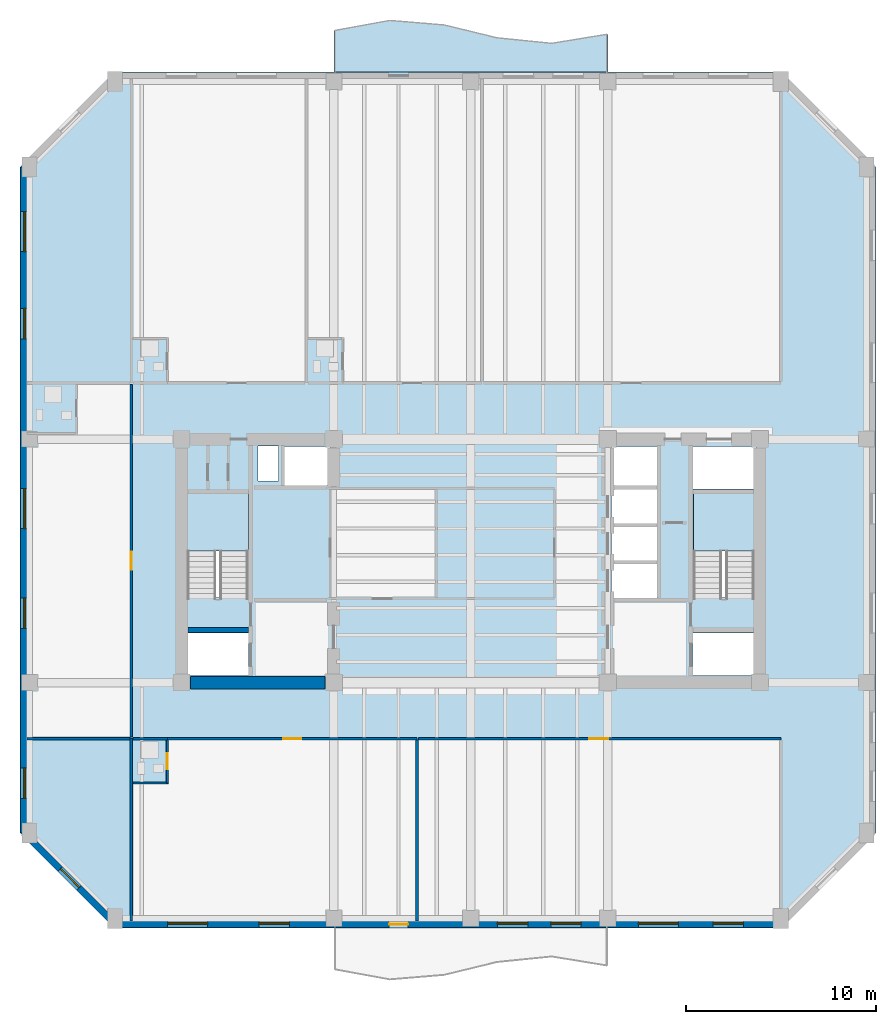
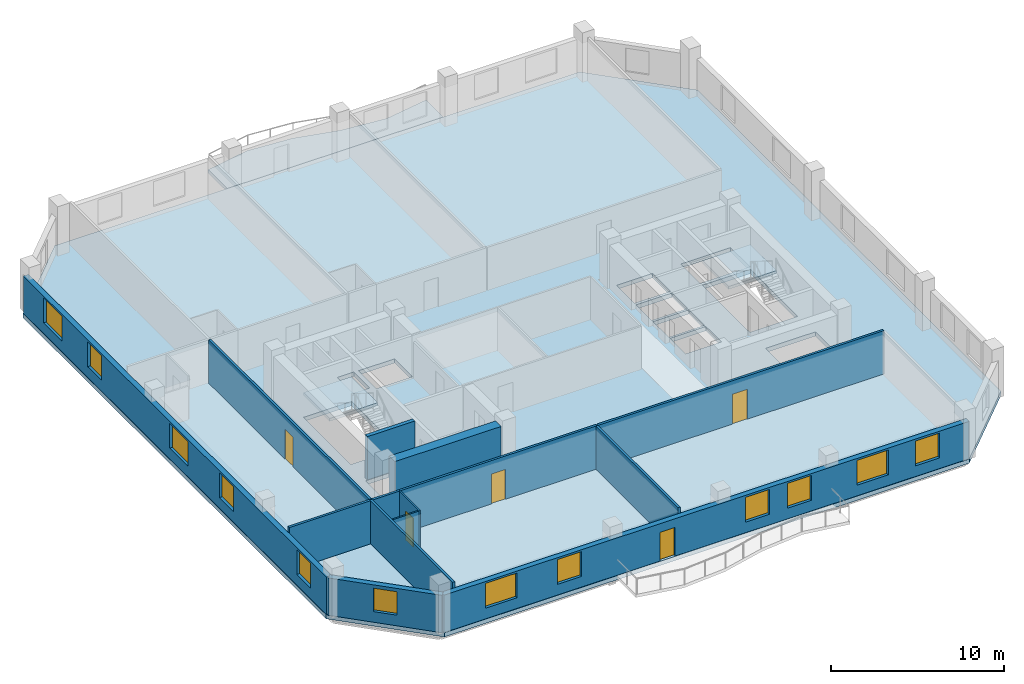
# One storey, part 2 of 9: 14 walls, 12 windows, 5 doors, 4 slabs, 17 openings, 2 elements without a shape of their own.
"""IFC4 building model written with IfcOpenShell, lengths in metres."""

from ifc_helpers import new_model, si_unit, direction, frame, frame_2d, origin, place, context, subcontext, project, spatial, polyline, rectangle, outline, extrude, material, layer, layer_set, type_object, element, fill, aggregate, save


model = new_model("IFC4")

# Units and contexts
model_context = context("Model", 3, precision=1e-05, world=origin(), true_north=direction((0.0, 1.0)))
body_context = subcontext(model_context, "Body", "Model", "MODEL_VIEW")
ifc_project = project(units=[si_unit("LENGTHUNIT", "METRE"), si_unit("AREAUNIT", "SQUARE_METRE"), si_unit("VOLUMEUNIT", "CUBIC_METRE"), si_unit("PLANEANGLEUNIT", "RADIAN"), si_unit("MASSUNIT", "GRAM", prefix="KILO")], contexts=[model_context])

# Site, building, storey
site_placement = place(None, origin())
site = spatial("IfcSite", under=ifc_project, at=site_placement, CompositionType="ELEMENT")
building_placement = place(site_placement, origin())
building = spatial("IfcBuilding", under=site, at=building_placement, Name="Kranthara Brick Stack", CompositionType="ELEMENT")
storey_placement = place(building_placement, frame((0.0, 0.0, 193.800048828125)))
storey = spatial("IfcBuildingStorey", under=building, at=storey_placement, Name="L50", CompositionType="ELEMENT", Elevation=193.800048828125)

# Slab
ifc_material_1 = material(Name="Concrete C45/55", Category="concrete")
ifc_layer_1 = layer(ifc_material_1, 0.219970703125)
ifc_layer_set_1 = layer_set([ifc_layer_1], Name="Concrete C45/55")
slab_type_1 = type_object("IfcSlabType", Name="SLB-BALC-220", PredefinedType="FLOOR", material=ifc_layer_set_1)
slab_1_placement = place(storey_placement, frame((0.0, 0.0, -0.219970703125)))
element("IfcSlab", 1, at=slab_1_placement, inside=storey, type_object=slab_type_1, Name="L50 North Rippling Balcony Slab", PredefinedType="FLOOR", context=body_context, shape_type="SweptSolid", body=[
    extrude(outline(polyline([(35.199951171875, 52.89990234375), (20.800048828125, 52.89990234375), (20.800048828125, 55.09033203125), (23.679931640625, 55.62646484375), (26.56005859375, 55.40625), (29.43994140625, 54.70654296875), (32.320068359375, 54.407470703125), (35.199951171875, 54.885009765625), (35.199951171875, 52.89990234375)])), origin(), (0.0, 0.0, 1.0), 0.219970703125),
])

# Stair, slab
ifc_material_2 = material(Name="Concrete C45/55", Category="concrete")
stair_type = type_object("IfcStairType", Name="ST-CORE-20R", PredefinedType="HALF_TURN_STAIR", material=ifc_material_2)
stair_1_placement = place(storey_placement, origin())
stair_1 = element("IfcStair", 2, at=stair_1_placement, inside=storey, type_object=stair_type, Name="L50 West Core Protected Exit Stair ST01", PredefinedType="HALF_TURN_STAIR")
ifc_material_3 = material(Name="Concrete C45/55", Category="concrete")
ifc_layer_2 = layer(ifc_material_3, 0.199951171875)
ifc_layer_set_2 = layer_set([ifc_layer_2], Name="Concrete C45/55")
slab_type_2 = type_object("IfcSlabType", Name="SLB-LANDING-200", PredefinedType="LANDING", material=ifc_layer_set_2)
slab_2_placement = place(storey_placement, frame((0.0, 0.0, 1.550048828125)))
slab_2 = element("IfcSlab", 3, at=slab_2_placement, type_object=slab_type_2, Name="ST01 landing 1", PredefinedType="LANDING", context=body_context, shape_type="SweptSolid", body=[
    extrude(outline(polyline([(16.300048828125, 27.719970703125), (16.300048828125, 30.75), (13.10009765625, 30.75), (13.10009765625, 27.719970703125), (16.300048828125, 27.719970703125)])), origin(), (0.0, 0.0, 1.0), 0.199951171875),
])
aggregate(stair_1, [slab_2])

stair_2_placement = place(storey_placement, origin())
stair_2 = element("IfcStair", 4, at=stair_2_placement, inside=storey, type_object=stair_type, Name="L50 East Core Protected Exit Stair ST02", PredefinedType="HALF_TURN_STAIR")
slab_3_placement = place(storey_placement, frame((0.0, 0.0, 1.550048828125)))
slab_3 = element("IfcSlab", 5, at=slab_3_placement, type_object=slab_type_2, Name="ST02 landing 1", PredefinedType="LANDING", context=body_context, shape_type="SweptSolid", body=[
    extrude(outline(polyline([(42.89990234375, 27.719970703125), (42.89990234375, 30.75), (39.699951171875, 30.75), (39.699951171875, 27.719970703125), (42.89990234375, 27.719970703125)])), origin(), (0.0, 0.0, 1.0), 0.199951171875),
])
aggregate(stair_2, [slab_3])

# Slab
ifc_material_4 = material(Name="Post-tensioned concrete C45/55", Category="concrete")
ifc_layer_3 = layer(ifc_material_4, 0.300048828125)
ifc_layer_set_3 = layer_set([ifc_layer_3], Name="Post-tensioned concrete C45/55")
slab_type_3 = type_object("IfcSlabType", Name="SLB-TWR-300", PredefinedType="FLOOR", material=ifc_layer_set_3)
slab_4_placement = place(storey_placement, frame((0.0, 0.0, -0.300048828125)))
element("IfcSlab", 6, at=slab_4_placement, inside=storey, type_object=slab_type_3, Name="L50 Structural Floor Plate", PredefinedType="FLOOR", context=body_context, shape_type="SweptSolid", body=[
    extrude(outline(polyline([(9.300048828125, 7.89990234375), (44.300048828125, 7.89990234375), (49.300048828125, 12.89990234375), (49.300048828125, 47.89990234375), (44.300048828125, 52.89990234375), (9.300048828125, 52.89990234375), (4.300048828125, 47.89990234375), (4.300048828125, 12.89990234375), (9.300048828125, 7.89990234375)]), holes=[polyline([(13.10009765625, 25.280029296875), (16.300048828125, 25.280029296875), (16.300048828125, 30.75), (13.10009765625, 30.75), (13.10009765625, 25.280029296875)]), polyline([(39.699951171875, 25.280029296875), (42.89990234375, 25.280029296875), (42.89990234375, 30.75), (39.699951171875, 30.75), (39.699951171875, 25.280029296875)]), polyline([(13.0, 21.179931640625), (16.320068359375, 21.179931640625), (16.320068359375, 23.419921875), (13.0, 23.419921875), (13.0, 21.179931640625)]), polyline([(39.679931640625, 21.179931640625), (43.0, 21.179931640625), (43.0, 23.419921875), (39.679931640625, 23.419921875), (39.679931640625, 21.179931640625)]), polyline([(39.679931640625, 30.97998046875), (43.0, 30.97998046875), (43.0, 33.219970703125), (39.679931640625, 33.219970703125), (39.679931640625, 30.97998046875)]), polyline([(35.39990234375, 25.25), (37.800048828125, 25.25), (37.800048828125, 27.050048828125), (35.39990234375, 27.050048828125), (35.39990234375, 25.25)]), polyline([(35.39990234375, 27.199951171875), (37.800048828125, 27.199951171875), (37.800048828125, 29.0), (35.39990234375, 29.0), (35.39990234375, 27.199951171875)]), polyline([(35.39990234375, 29.14990234375), (37.800048828125, 29.14990234375), (37.800048828125, 30.949951171875), (35.39990234375, 30.949951171875), (35.39990234375, 29.14990234375)]), polyline([(18.199951171875, 31.14990234375), (20.60009765625, 31.14990234375), (20.60009765625, 33.219970703125), (18.199951171875, 33.219970703125), (18.199951171875, 31.14990234375)]), polyline([(35.39990234375, 31.14990234375), (37.800048828125, 31.14990234375), (37.800048828125, 33.219970703125), (35.39990234375, 33.219970703125), (35.39990234375, 31.14990234375)]), polyline([(16.800048828125, 31.39990234375), (17.89990234375, 31.39990234375), (17.89990234375, 33.25), (16.800048828125, 33.25), (16.800048828125, 31.39990234375)])]), origin(), (0.0, 0.0, 1.0), 0.300048828125),
])

# Wall, openings, door, windows
ifc_material_5 = material(Name="Kiln-fired clay brick masonry M15", Category="masonry")
ifc_layer_4 = layer(ifc_material_5, 0.35009765625)
ifc_layer_set_4 = layer_set([ifc_layer_4], Name="Kiln-fired clay brick masonry M15")
wall_type_1 = type_object("IfcWallType", Name="WL-BRK-SPND-350", PredefinedType="STANDARD", material=ifc_layer_set_4)
wall_1_placement = place(storey_placement, frame((44.300048828125, 8.094970703125, 0.0), z_axis=(0.0, 0.0, 1.0), x_axis=(-1.0, 0.0, 0.0)))
wall_1 = element("IfcWall", 7, at=wall_1_placement, inside=storey, type_object=wall_type_1, Name="L50 Exterior Brick Facade Wall SOUTH 1", PredefinedType="STANDARD", context=body_context, shape_type="SweptSolid", body=[
    extrude(rectangle(XDim=35.0, YDim=0.35009765625, at=frame_2d((17.5, 0.0))), origin(), (0.0, 0.0, 1.0), 2.635009765625),
])
opening_1_placement = place(wall_1_placement, frame((19.60009765625, 0.0, 0.0)))
opening_1 = element("IfcOpeningElement", 8, at=opening_1_placement, cuts=wall_1, Name="Opening D03", PredefinedType="OPENING", context=body_context, shape_type="SweptSolid", body=[
    extrude(rectangle(XDim=1.0, YDim=2.02001953125, at=frame_2d((0.5, 1.010009765625))), frame((0.0, 0.18505859375, 0.0), z_axis=(0.0, -1.0, 0.0), x_axis=(1.0, 0.0, 0.0)), (0.0, 0.0, 1.0), 0.3701171875),
])
opening_2_placement = place(wall_1_placement, frame((1.964111328125, 0.0, 0.75)))
opening_2 = element("IfcOpeningElement", 9, at=opening_2_placement, cuts=wall_1, Name="Opening WN04", PredefinedType="OPENING", context=body_context, shape_type="SweptSolid", body=[
    extrude(rectangle(XDim=1.60009765625, YDim=1.75, at=frame_2d((0.800048828125, 0.875))), frame((0.0, 0.18505859375, 0.0), z_axis=(0.0, -1.0, 0.0), x_axis=(1.0, 0.0, 0.0)), (0.0, 0.0, 1.0), 0.3701171875),
])
opening_3_placement = place(wall_1_placement, frame((5.385986328125, 0.0, 0.75)))
opening_3 = element("IfcOpeningElement", 10, at=opening_3_placement, cuts=wall_1, Name="Opening WN05", PredefinedType="OPENING", context=body_context, shape_type="SweptSolid", body=[
    extrude(rectangle(XDim=2.10009765625, YDim=1.75, at=frame_2d((1.050048828125, 0.875))), frame((0.0, 0.18505859375, 0.0), z_axis=(0.0, -1.0, 0.0), x_axis=(1.0, 0.0, 0.0)), (0.0, 0.0, 1.0), 0.3701171875),
])
opening_4_placement = place(wall_1_placement, frame((10.49609375, 0.0, 0.75)))
opening_4 = element("IfcOpeningElement", 11, at=opening_4_placement, cuts=wall_1, Name="Opening WN04", PredefinedType="OPENING", context=body_context, shape_type="SweptSolid", body=[
    extrude(rectangle(XDim=1.60009765625, YDim=1.75, at=frame_2d((0.800048828125, 0.875))), frame((0.0, 0.18505859375, 0.0), z_axis=(0.0, -1.0, 0.0), x_axis=(1.0, 0.0, 0.0)), (0.0, 0.0, 1.0), 0.3701171875),
])
opening_5_placement = place(wall_1_placement, frame((13.303955078125, 0.0, 0.75)))
opening_5 = element("IfcOpeningElement", 12, at=opening_5_placement, cuts=wall_1, Name="Opening WN04", PredefinedType="OPENING", context=body_context, shape_type="SweptSolid", body=[
    extrude(rectangle(XDim=1.60009765625, YDim=1.75, at=frame_2d((0.800048828125, 0.875))), frame((0.0, 0.18505859375, 0.0), z_axis=(0.0, -1.0, 0.0), x_axis=(1.0, 0.0, 0.0)), (0.0, 0.0, 1.0), 0.3701171875),
])
opening_6_placement = place(wall_1_placement, frame((25.837890625, 0.0, 0.75)))
opening_6 = element("IfcOpeningElement", 13, at=opening_6_placement, cuts=wall_1, Name="Opening WN04", PredefinedType="OPENING", context=body_context, shape_type="SweptSolid", body=[
    extrude(rectangle(XDim=1.60009765625, YDim=1.75, at=frame_2d((0.800048828125, 0.875))), frame((0.0, 0.18505859375, 0.0), z_axis=(0.0, -1.0, 0.0), x_axis=(1.0, 0.0, 0.0)), (0.0, 0.0, 1.0), 0.3701171875),
])
opening_7_placement = place(wall_1_placement, frame((30.135986328125, 0.0, 0.75)))
opening_7 = element("IfcOpeningElement", 14, at=opening_7_placement, cuts=wall_1, Name="Opening WN05", PredefinedType="OPENING", context=body_context, shape_type="SweptSolid", body=[
    extrude(rectangle(XDim=2.10009765625, YDim=1.75, at=frame_2d((1.050048828125, 0.875))), frame((0.0, 0.18505859375, 0.0), z_axis=(0.0, -1.0, 0.0), x_axis=(1.0, 0.0, 0.0)), (0.0, 0.0, 1.0), 0.3701171875),
])
ifc_material_6 = material(Name="Bronze anodised aluminium and laminated glass", Category="aluminium")
door_type_1 = type_object("IfcDoorType", Name="DR-BALC-1000", OperationType="NOTDEFINED", PredefinedType="DOOR", material=ifc_material_6)
door_1_placement = place(opening_1_placement, origin())
door_1 = element("IfcDoor", 15, at=door_1_placement, inside=storey, type_object=door_type_1, Name="L50 South Balcony Terrace Door", OperationType="SINGLE_SWING_LEFT", OverallHeight=2.02001953125, OverallWidth=1.0, PredefinedType="DOOR", context=body_context, shape_type="SweptSolid", body=[
    extrude(rectangle(XDim=1.0, YDim=2.02001953125, at=frame_2d((0.5, 1.010009765625))), frame((0.0, 0.02490234375, 0.0), z_axis=(0.0, -1.0, 0.0), x_axis=(1.0, 0.0, 0.0)), (0.0, 0.0, 1.0), 0.050048828125),
])
fill(opening_1, door_1)
ifc_material_7 = material(Name="Double-glazed low-E solar control glass", Category="glass")
window_type_1 = type_object("IfcWindowType", Name="WN-HTL-1600x1850", PartitioningType="DOUBLE_PANEL_VERTICAL", PredefinedType="WINDOW", material=ifc_material_7)
window_1_placement = place(opening_2_placement, origin())
window_1 = element("IfcWindow", 16, at=window_1_placement, inside=storey, type_object=window_type_1, Name="L50 South Deep-Set Brick Window 01", OverallHeight=1.75, OverallWidth=1.60009765625, PartitioningType="SINGLE_PANEL", PredefinedType="WINDOW", context=body_context, shape_type="SweptSolid", body=[
    extrude(rectangle(XDim=1.60009765625, YDim=1.75, at=frame_2d((0.800048828125, 0.875))), frame((0.0, -0.010009765625, 0.0), z_axis=(0.0, -1.0, 0.0), x_axis=(1.0, 0.0, 0.0)), (0.0, 0.0, 1.0), 0.06005859375),
])
fill(opening_2, window_1)
window_2_placement = place(opening_4_placement, origin())
window_2 = element("IfcWindow", 17, at=window_2_placement, inside=storey, type_object=window_type_1, Name="L50 South Deep-Set Brick Window 03", OverallHeight=1.75, OverallWidth=1.60009765625, PartitioningType="SINGLE_PANEL", PredefinedType="WINDOW", context=body_context, shape_type="SweptSolid", body=[
    extrude(rectangle(XDim=1.60009765625, YDim=1.75, at=frame_2d((0.800048828125, 0.875))), frame((0.0, -0.010009765625, 0.0), z_axis=(0.0, -1.0, 0.0), x_axis=(1.0, 0.0, 0.0)), (0.0, 0.0, 1.0), 0.06005859375),
])
fill(opening_4, window_2)
window_3_placement = place(opening_5_placement, origin())
window_3 = element("IfcWindow", 18, at=window_3_placement, inside=storey, type_object=window_type_1, Name="L50 South Deep-Set Brick Window 04", OverallHeight=1.75, OverallWidth=1.60009765625, PartitioningType="SINGLE_PANEL", PredefinedType="WINDOW", context=body_context, shape_type="SweptSolid", body=[
    extrude(rectangle(XDim=1.60009765625, YDim=1.75, at=frame_2d((0.800048828125, 0.875))), frame((0.0, -0.010009765625, 0.0), z_axis=(0.0, -1.0, 0.0), x_axis=(1.0, 0.0, 0.0)), (0.0, 0.0, 1.0), 0.06005859375),
])
fill(opening_5, window_3)
window_4_placement = place(opening_6_placement, origin())
window_4 = element("IfcWindow", 19, at=window_4_placement, inside=storey, type_object=window_type_1, Name="L50 South Deep-Set Brick Window 05", OverallHeight=1.75, OverallWidth=1.60009765625, PartitioningType="SINGLE_PANEL", PredefinedType="WINDOW", context=body_context, shape_type="SweptSolid", body=[
    extrude(rectangle(XDim=1.60009765625, YDim=1.75, at=frame_2d((0.800048828125, 0.875))), frame((0.0, -0.010009765625, 0.0), z_axis=(0.0, -1.0, 0.0), x_axis=(1.0, 0.0, 0.0)), (0.0, 0.0, 1.0), 0.06005859375),
])
fill(opening_6, window_4)
ifc_material_8 = material(Name="Double-glazed low-E solar control glass", Category="glass")
window_type_2 = type_object("IfcWindowType", Name="WN-HTL-2100x1850", PartitioningType="DOUBLE_PANEL_VERTICAL", PredefinedType="WINDOW", material=ifc_material_8)
window_5_placement = place(opening_3_placement, origin())
window_5 = element("IfcWindow", 20, at=window_5_placement, inside=storey, type_object=window_type_2, Name="L50 South Deep-Set Brick Window 02", OverallHeight=1.75, OverallWidth=2.10009765625, PartitioningType="SINGLE_PANEL", PredefinedType="WINDOW", context=body_context, shape_type="SweptSolid", body=[
    extrude(rectangle(XDim=2.10009765625, YDim=1.75, at=frame_2d((1.050048828125, 0.875))), frame((0.0, -0.010009765625, 0.0), z_axis=(0.0, -1.0, 0.0), x_axis=(1.0, 0.0, 0.0)), (0.0, 0.0, 1.0), 0.06005859375),
])
fill(opening_3, window_5)
window_6_placement = place(opening_7_placement, origin())
window_6 = element("IfcWindow", 21, at=window_6_placement, inside=storey, type_object=window_type_2, Name="L50 South Deep-Set Brick Window 06", OverallHeight=1.75, OverallWidth=2.10009765625, PartitioningType="SINGLE_PANEL", PredefinedType="WINDOW", context=body_context, shape_type="SweptSolid", body=[
    extrude(rectangle(XDim=2.10009765625, YDim=1.75, at=frame_2d((1.050048828125, 0.875))), frame((0.0, -0.010009765625, 0.0), z_axis=(0.0, -1.0, 0.0), x_axis=(1.0, 0.0, 0.0)), (0.0, 0.0, 1.0), 0.06005859375),
])
fill(opening_7, window_6)

# Wall, opening, window
wall_2_placement = place(storey_placement, frame((9.300048828125, 8.094970703125, 0.0), z_axis=(0.0, 0.0, 1.0), x_axis=(-0.707106781187, 0.707106781187, 0.0)))
wall_2 = element("IfcWall", 22, at=wall_2_placement, inside=storey, type_object=wall_type_1, Name="L50 Exterior Brick Facade Wall SW 1", PredefinedType="STANDARD", context=body_context, shape_type="SweptSolid", body=[
    extrude(rectangle(XDim=6.795166015625, YDim=0.35009765625, at=frame_2d((3.3974609375, 0.0))), origin(), (0.0, 0.0, 1.0), 2.635009765625),
])
opening_8_placement = place(wall_2_placement, frame((2.697998046875, 0.0, 0.75)))
opening_8 = element("IfcOpeningElement", 23, at=opening_8_placement, cuts=wall_2, Name="Opening WN10", PredefinedType="OPENING", context=body_context, shape_type="SweptSolid", body=[
    extrude(rectangle(XDim=1.39990234375, YDim=1.64990234375, at=frame_2d((0.699951171875, 0.824951171875))), frame((0.0, 0.18505859375, 0.0), z_axis=(0.0, -1.0, 0.0), x_axis=(1.0, 0.0, 0.0)), (0.0, 0.0, 1.0), 0.3701171875),
])
ifc_material_9 = material(Name="Double-glazed low-E solar control glass", Category="glass")
window_type_3 = type_object("IfcWindowType", Name="WN-CHM-1400x1750", PartitioningType="SINGLE_PANEL", PredefinedType="WINDOW", material=ifc_material_9)
window_7_placement = place(opening_8_placement, origin())
window_7 = element("IfcWindow", 24, at=window_7_placement, inside=storey, type_object=window_type_3, Name="L50 SW Chamfer Corner Window", OverallHeight=1.64990234375, OverallWidth=1.39990234375, PartitioningType="SINGLE_PANEL", PredefinedType="WINDOW", context=body_context, shape_type="SweptSolid", body=[
    extrude(rectangle(XDim=1.39990234375, YDim=1.64990234375, at=frame_2d((0.699951171875, 0.824951171875))), frame((0.0, -0.010009765625, 0.0), z_axis=(0.0, -1.0, 0.0), x_axis=(1.0, 0.0, 0.0)), (0.0, 0.0, 1.0), 0.06005859375),
])
fill(opening_8, window_7)

# Wall, openings, windows
wall_3_placement = place(storey_placement, frame((4.4951171875, 12.89990234375, 0.0), z_axis=(0.0, 0.0, 1.0), x_axis=(0.0, 1.0, 0.0)))
wall_3 = element("IfcWall", 25, at=wall_3_placement, inside=storey, type_object=wall_type_1, Name="L50 Exterior Brick Facade Wall WEST 1", PredefinedType="STANDARD", context=body_context, shape_type="SweptSolid", body=[
    extrude(rectangle(XDim=35.0, YDim=0.35009765625, at=frame_2d((17.5, 0.0))), origin(), (0.0, 0.0, 1.0), 2.635009765625),
])
opening_9_placement = place(wall_3_placement, frame((1.81298828125, 0.0, 0.75)))
opening_9 = element("IfcOpeningElement", 26, at=opening_9_placement, cuts=wall_3, Name="Opening WN04", PredefinedType="OPENING", context=body_context, shape_type="SweptSolid", body=[
    extrude(rectangle(XDim=1.60009765625, YDim=1.75, at=frame_2d((0.800048828125, 0.875))), frame((0.0, 0.18505859375, 0.0), z_axis=(0.0, -1.0, 0.0), x_axis=(1.0, 0.0, 0.0)), (0.0, 0.0, 1.0), 0.3701171875),
])
opening_10_placement = place(wall_3_placement, frame((10.751953125, 0.0, 0.75)))
opening_10 = element("IfcOpeningElement", 27, at=opening_10_placement, cuts=wall_3, Name="Opening WN04", PredefinedType="OPENING", context=body_context, shape_type="SweptSolid", body=[
    extrude(rectangle(XDim=1.60009765625, YDim=1.75, at=frame_2d((0.800048828125, 0.875))), frame((0.0, 0.18505859375, 0.0), z_axis=(0.0, -1.0, 0.0), x_axis=(1.0, 0.0, 0.0)), (0.0, 0.0, 1.0), 0.3701171875),
])
opening_11_placement = place(wall_3_placement, frame((15.998046875, 0.0, 0.75)))
opening_11 = element("IfcOpeningElement", 28, at=opening_11_placement, cuts=wall_3, Name="Opening WN05", PredefinedType="OPENING", context=body_context, shape_type="SweptSolid", body=[
    extrude(rectangle(XDim=2.10009765625, YDim=1.75, at=frame_2d((1.050048828125, 0.875))), frame((0.0, 0.18505859375, 0.0), z_axis=(0.0, -1.0, 0.0), x_axis=(1.0, 0.0, 0.0)), (0.0, 0.0, 1.0), 0.3701171875),
])
opening_12_placement = place(wall_3_placement, frame((25.969970703125, 0.0, 0.75)))
opening_12 = element("IfcOpeningElement", 29, at=opening_12_placement, cuts=wall_3, Name="Opening WN04", PredefinedType="OPENING", context=body_context, shape_type="SweptSolid", body=[
    extrude(rectangle(XDim=1.60009765625, YDim=1.75, at=frame_2d((0.800048828125, 0.875))), frame((0.0, 0.18505859375, 0.0), z_axis=(0.0, -1.0, 0.0), x_axis=(1.0, 0.0, 0.0)), (0.0, 0.0, 1.0), 0.3701171875),
])
opening_13_placement = place(wall_3_placement, frame((30.554931640625, 0.0, 0.75)))
opening_13 = element("IfcOpeningElement", 30, at=opening_13_placement, cuts=wall_3, Name="Opening WN05", PredefinedType="OPENING", context=body_context, shape_type="SweptSolid", body=[
    extrude(rectangle(XDim=2.10009765625, YDim=1.75, at=frame_2d((1.050048828125, 0.875))), frame((0.0, 0.18505859375, 0.0), z_axis=(0.0, -1.0, 0.0), x_axis=(1.0, 0.0, 0.0)), (0.0, 0.0, 1.0), 0.3701171875),
])
window_8_placement = place(opening_9_placement, origin())
window_8 = element("IfcWindow", 31, at=window_8_placement, inside=storey, type_object=window_type_1, Name="L50 West Deep-Set Brick Window 01", OverallHeight=1.75, OverallWidth=1.60009765625, PartitioningType="SINGLE_PANEL", PredefinedType="WINDOW", context=body_context, shape_type="SweptSolid", body=[
    extrude(rectangle(XDim=1.60009765625, YDim=1.75, at=frame_2d((0.800048828125, 0.875))), frame((0.0, -0.010009765625, 0.0), z_axis=(0.0, -1.0, 0.0), x_axis=(1.0, 0.0, 0.0)), (0.0, 0.0, 1.0), 0.06005859375),
])
fill(opening_9, window_8)
window_9_placement = place(opening_10_placement, origin())
window_9 = element("IfcWindow", 32, at=window_9_placement, inside=storey, type_object=window_type_1, Name="L50 West Deep-Set Brick Window 02", OverallHeight=1.75, OverallWidth=1.60009765625, PartitioningType="SINGLE_PANEL", PredefinedType="WINDOW", context=body_context, shape_type="SweptSolid", body=[
    extrude(rectangle(XDim=1.60009765625, YDim=1.75, at=frame_2d((0.800048828125, 0.875))), frame((0.0, -0.010009765625, 0.0), z_axis=(0.0, -1.0, 0.0), x_axis=(1.0, 0.0, 0.0)), (0.0, 0.0, 1.0), 0.06005859375),
])
fill(opening_10, window_9)
window_10_placement = place(opening_12_placement, origin())
window_10 = element("IfcWindow", 33, at=window_10_placement, inside=storey, type_object=window_type_1, Name="L50 West Deep-Set Brick Window 04", OverallHeight=1.75, OverallWidth=1.60009765625, PartitioningType="SINGLE_PANEL", PredefinedType="WINDOW", context=body_context, shape_type="SweptSolid", body=[
    extrude(rectangle(XDim=1.60009765625, YDim=1.75, at=frame_2d((0.800048828125, 0.875))), frame((0.0, -0.010009765625, 0.0), z_axis=(0.0, -1.0, 0.0), x_axis=(1.0, 0.0, 0.0)), (0.0, 0.0, 1.0), 0.06005859375),
])
fill(opening_12, window_10)
window_11_placement = place(opening_11_placement, origin())
window_11 = element("IfcWindow", 34, at=window_11_placement, inside=storey, type_object=window_type_2, Name="L50 West Deep-Set Brick Window 03", OverallHeight=1.75, OverallWidth=2.10009765625, PartitioningType="SINGLE_PANEL", PredefinedType="WINDOW", context=body_context, shape_type="SweptSolid", body=[
    extrude(rectangle(XDim=2.10009765625, YDim=1.75, at=frame_2d((1.050048828125, 0.875))), frame((0.0, -0.010009765625, 0.0), z_axis=(0.0, -1.0, 0.0), x_axis=(1.0, 0.0, 0.0)), (0.0, 0.0, 1.0), 0.06005859375),
])
fill(opening_11, window_11)
window_12_placement = place(opening_13_placement, origin())
window_12 = element("IfcWindow", 35, at=window_12_placement, inside=storey, type_object=window_type_2, Name="L50 West Deep-Set Brick Window 05", OverallHeight=1.75, OverallWidth=2.10009765625, PartitioningType="SINGLE_PANEL", PredefinedType="WINDOW", context=body_context, shape_type="SweptSolid", body=[
    extrude(rectangle(XDim=2.10009765625, YDim=1.75, at=frame_2d((1.050048828125, 0.875))), frame((0.0, -0.010009765625, 0.0), z_axis=(0.0, -1.0, 0.0), x_axis=(1.0, 0.0, 0.0)), (0.0, 0.0, 1.0), 0.06005859375),
])
fill(opening_13, window_12)

# Walls
ifc_material_10 = material(Name="Concrete C50/60", Category="concrete")
ifc_layer_5 = layer(ifc_material_10, 0.25)
ifc_layer_set_5 = layer_set([ifc_layer_5], Name="Concrete C50/60")
wall_type_2 = type_object("IfcWallType", Name="WL-CORE-250", PredefinedType="SHEAR", material=ifc_layer_set_5)
wall_4_placement = place(storey_placement, frame((13.135009765625, 23.570068359375, 0.0), z_axis=(0.0, 0.0, 1.0), x_axis=(1.0, 0.0, 0.0)))
element("IfcWall", 36, at=wall_4_placement, inside=storey, type_object=wall_type_2, Name="L50 West Stairwell Bearing Wall WFF", PredefinedType="SHEAR", context=body_context, shape_type="SweptSolid", body=[
    extrude(rectangle(XDim=3.175048828125, YDim=0.25, at=frame_2d((1.58740234375, 0.0))), origin(), (0.0, 0.0, 1.0), 3.050048828125),
])
ifc_material_11 = material(Name="Concrete C60/75", Category="concrete")
ifc_layer_6 = layer(ifc_material_11, 0.64990234375)
ifc_layer_set_6 = layer_set([ifc_layer_6], Name="Concrete C60/75")
wall_type_3 = type_object("IfcWallType", Name="WL-CORE-650", PredefinedType="SHEAR", material=ifc_layer_set_6)
wall_5_placement = place(storey_placement, frame((13.2548828125, 20.800048828125, 0.0), z_axis=(0.0, 0.0, 1.0), x_axis=(1.0, 0.0, 0.0)))
element("IfcWall", 37, at=wall_5_placement, inside=storey, type_object=wall_type_3, Name="L50 West Core Shear Wall South", PredefinedType="SHEAR", context=body_context, shape_type="SweptSolid", body=[
    extrude(rectangle(XDim=7.090087890625, YDim=0.64990234375, at=frame_2d((3.544921875, 0.0))), origin(), (0.0, 0.0, 1.0), 3.050048828125),
])

# Wall, opening, door
ifc_material_12 = material(Name="Moisture-resistant wet-room partition", Category="other")
ifc_layer_7 = layer(ifc_material_12, 0.10009765625)
ifc_layer_set_7 = layer_set([ifc_layer_7], Name="Moisture-resistant wet-room partition")
wall_type_4 = type_object("IfcWallType", Name="WL-PART-100", PredefinedType="PARTITIONING", material=ifc_layer_set_7)
wall_6_placement = place(storey_placement, frame((12.050048828125, 15.52001953125, 0.0), z_axis=(0.0, 0.0, 1.0), x_axis=(0.0, 1.0, 0.0)))
wall_6 = element("IfcWall", 38, at=wall_6_placement, inside=storey, type_object=wall_type_4, Name="L50 Interior Partition 012", PredefinedType="PARTITIONING", context=body_context, shape_type="SweptSolid", body=[
    extrude(rectangle(XDim=2.25, YDim=0.10009765625, at=frame_2d((1.125, 0.0))), origin(), (0.0, 0.0, 1.0), 3.050048828125),
])
opening_14_placement = place(wall_6_placement, frame((0.719970703125, 0.0, 0.0)))
opening_14 = element("IfcOpeningElement", 39, at=opening_14_placement, cuts=wall_6, Name="Opening D17", PredefinedType="OPENING", context=body_context, shape_type="SweptSolid", body=[
    extrude(rectangle(XDim=0.85009765625, YDim=2.050048828125, at=frame_2d((0.425048828125, 1.02490234375))), frame((0.0, 0.06005859375, 0.0), z_axis=(0.0, -1.0, 0.0), x_axis=(1.0, 0.0, 0.0)), (0.0, 0.0, 1.0), 0.1201171875),
])
ifc_material_13 = material(Name="Solid-core hardwood timber leaf in steel frame", Category="steel")
door_type_2 = type_object("IfcDoorType", Name="DR-WET-850", OperationType="NOTDEFINED", PredefinedType="DOOR", material=ifc_material_13)
door_2_placement = place(opening_14_placement, origin())
door_2 = element("IfcDoor", 40, at=door_2_placement, inside=storey, type_object=door_type_2, Name="L50 Key 01 En-Suite Door 07", OperationType="SINGLE_SWING_LEFT", OverallHeight=2.050048828125, OverallWidth=0.85009765625, PredefinedType="DOOR", context=body_context, shape_type="SweptSolid", body=[
    extrude(rectangle(XDim=0.85009765625, YDim=2.050048828125, at=frame_2d((0.425048828125, 1.02490234375))), frame((0.0, 0.02490234375, 0.0), z_axis=(0.0, -1.0, 0.0), x_axis=(1.0, 0.0, 0.0)), (0.0, 0.0, 1.0), 0.050048828125),
])
fill(opening_14, door_2)

# Walls
wall_7_placement = place(storey_placement, frame((10.22998046875, 15.52001953125, 0.0), z_axis=(0.0, 0.0, 1.0), x_axis=(1.0, 0.0, 0.0)))
element("IfcWall", 41, at=wall_7_placement, inside=storey, type_object=wall_type_4, Name="L50 Interior Partition 013", PredefinedType="PARTITIONING", context=body_context, shape_type="SweptSolid", body=[
    extrude(rectangle(XDim=1.76513671875, YDim=0.10009765625, at=frame_2d((0.882568359375, 0.0))), origin(), (0.0, 0.0, 1.0), 3.050048828125),
])
ifc_material_14 = material(Name="Fire-rated gypsum board partition", Category="other")
ifc_layer_8 = layer(ifc_material_14, 0.14990234375)
ifc_layer_set_8 = layer_set([ifc_layer_8], Name="Fire-rated gypsum board partition")
wall_type_5 = type_object("IfcWallType", Name="WL-PART-150", PredefinedType="PARTITIONING", material=ifc_layer_set_8)
wall_8_placement = place(storey_placement, frame((10.14990234375, 8.27490234375, 0.0), z_axis=(0.0, 0.0, 1.0), x_axis=(0.0, 1.0, 0.0)))
element("IfcWall", 42, at=wall_8_placement, inside=storey, type_object=wall_type_5, Name="L50 Interior Partition 009", PredefinedType="PARTITIONING", context=body_context, shape_type="SweptSolid", body=[
    extrude(rectangle(XDim=9.5751953125, YDim=0.14990234375, at=frame_2d((4.78759765625, 0.0))), origin(), (0.0, 0.0, 1.0), 3.050048828125),
])
wall_9_placement = place(storey_placement, frame((10.22998046875, 17.85009765625, 0.0), z_axis=(0.0, 0.0, 1.0), x_axis=(1.0, 0.0, 0.0)))
element("IfcWall", 43, at=wall_9_placement, inside=storey, type_object=wall_type_5, Name="L50 Interior Partition 010", PredefinedType="PARTITIONING", context=body_context, shape_type="SweptSolid", body=[
    extrude(rectangle(XDim=1.820068359375, YDim=0.14990234375, at=frame_2d((0.91015625, 0.0))), origin(), (0.0, 0.0, 1.0), 3.050048828125),
])

# Wall, opening, door
wall_10_placement = place(storey_placement, frame((12.050048828125, 17.85009765625, 0.0), z_axis=(0.0, 0.0, 1.0), x_axis=(1.0, 0.0, 0.0)))
wall_10 = element("IfcWall", 44, at=wall_10_placement, inside=storey, type_object=wall_type_5, Name="L50 Interior Partition 011", PredefinedType="PARTITIONING", context=body_context, shape_type="SweptSolid", body=[
    extrude(rectangle(XDim=13.1259765625, YDim=0.14990234375, at=frame_2d((6.56298828125, 0.0))), origin(), (0.0, 0.0, 1.0), 3.050048828125),
])
opening_15_placement = place(wall_10_placement, frame((6.0830078125, 0.0, 0.0)))
opening_15 = element("IfcOpeningElement", 45, at=opening_15_placement, cuts=wall_10, Name="Opening D09", PredefinedType="OPENING", context=body_context, shape_type="SweptSolid", body=[
    extrude(rectangle(XDim=0.949951171875, YDim=2.10009765625, at=frame_2d((0.47509765625, 1.050048828125))), frame((0.0, 0.0849609375, 0.0), z_axis=(0.0, -1.0, 0.0), x_axis=(1.0, 0.0, 0.0)), (0.0, 0.0, 1.0), 0.169921875),
])
ifc_material_15 = material(Name="Solid-core hardwood timber leaf in steel frame", Category="steel")
door_type_3 = type_object("IfcDoorType", Name="DR-FD-950", OperationType="NOTDEFINED", PredefinedType="DOOR", material=ifc_material_15)
door_3_placement = place(opening_15_placement, origin())
door_3 = element("IfcDoor", 46, at=door_3_placement, inside=storey, type_object=door_type_3, Name="L50 Key 01 Entry 08", OperationType="SINGLE_SWING_RIGHT", OverallHeight=2.10009765625, OverallWidth=0.949951171875, PredefinedType="DOOR", context=body_context, shape_type="SweptSolid", body=[
    extrude(rectangle(XDim=0.949951171875, YDim=2.10009765625, at=frame_2d((0.47509765625, 1.050048828125))), frame((0.0, 0.02490234375, 0.0), z_axis=(0.0, -1.0, 0.0), x_axis=(1.0, 0.0, 0.0)), (0.0, 0.0, 1.0), 0.050048828125),
])
fill(opening_15, door_3)

# Wall
wall_11_placement = place(storey_placement, frame((25.176025390625, 8.27490234375, 0.0), z_axis=(0.0, 0.0, 1.0), x_axis=(0.0, 1.0, 0.0)))
element("IfcWall", 47, at=wall_11_placement, inside=storey, type_object=wall_type_5, Name="L50 Interior Partition 014", PredefinedType="PARTITIONING", context=body_context, shape_type="SweptSolid", body=[
    extrude(rectangle(XDim=9.4951171875, YDim=0.14990234375, at=frame_2d((4.74755859375, 0.0))), origin(), (0.0, 0.0, 1.0), 3.050048828125),
])

# Wall, opening, door
wall_12_placement = place(storey_placement, frame((25.256103515625, 17.85009765625, 0.0), z_axis=(0.0, 0.0, 1.0), x_axis=(1.0, 0.0, 0.0)))
wall_12 = element("IfcWall", 48, at=wall_12_placement, inside=storey, type_object=wall_type_5, Name="L50 Interior Partition 015", PredefinedType="PARTITIONING", context=body_context, shape_type="SweptSolid", body=[
    extrude(rectangle(XDim=19.0439453125, YDim=0.14990234375, at=frame_2d((9.52197265625, 0.0))), origin(), (0.0, 0.0, 1.0), 3.050048828125),
])
opening_16_placement = place(wall_12_placement, frame((8.9619140625, 0.0, 0.0)))
opening_16 = element("IfcOpeningElement", 49, at=opening_16_placement, cuts=wall_12, Name="Opening D08", PredefinedType="OPENING", context=body_context, shape_type="SweptSolid", body=[
    extrude(rectangle(XDim=1.0, YDim=2.10009765625, at=frame_2d((0.5, 1.050048828125))), frame((0.0, 0.0849609375, 0.0), z_axis=(0.0, -1.0, 0.0), x_axis=(1.0, 0.0, 0.0)), (0.0, 0.0, 1.0), 0.169921875),
])
ifc_material_16 = material(Name="Solid-core hardwood timber leaf in steel frame", Category="steel")
door_type_4 = type_object("IfcDoorType", Name="DR-FD-1000", OperationType="NOTDEFINED", PredefinedType="DOOR", material=ifc_material_16)
door_4_placement = place(opening_16_placement, origin())
door_4 = element("IfcDoor", 50, at=door_4_placement, inside=storey, type_object=door_type_4, Name="L50 Guest Lounge 09", OperationType="SINGLE_SWING_LEFT", OverallHeight=2.10009765625, OverallWidth=1.0, PredefinedType="DOOR", context=body_context, shape_type="SweptSolid", body=[
    extrude(rectangle(XDim=1.0, YDim=2.10009765625, at=frame_2d((0.5, 1.050048828125))), frame((0.0, 0.02490234375, 0.0), z_axis=(0.0, -1.0, 0.0), x_axis=(1.0, 0.0, 0.0)), (0.0, 0.0, 1.0), 0.050048828125),
])
fill(opening_16, door_4)

# Wall
wall_13_placement = place(storey_placement, frame((4.675048828125, 17.85009765625, 0.0), z_axis=(0.0, 0.0, 1.0), x_axis=(1.0, 0.0, 0.0)))
element("IfcWall", 51, at=wall_13_placement, inside=storey, type_object=wall_type_5, Name="L50 Interior Partition 030", PredefinedType="PARTITIONING", context=body_context, shape_type="SweptSolid", body=[
    extrude(rectangle(XDim=5.39501953125, YDim=0.14990234375, at=frame_2d((2.697509765625, 0.0))), origin(), (0.0, 0.0, 1.0), 3.050048828125),
])

# Wall, opening, door
wall_14_placement = place(storey_placement, frame((10.14990234375, 17.929931640625, 0.0), z_axis=(0.0, 0.0, 1.0), x_axis=(0.0, 1.0, 0.0)))
wall_14 = element("IfcWall", 52, at=wall_14_placement, inside=storey, type_object=wall_type_5, Name="L50 Interior Partition 032", PredefinedType="PARTITIONING", context=body_context, shape_type="SweptSolid", body=[
    extrude(rectangle(XDim=18.5400390625, YDim=0.14990234375, at=frame_2d((9.27001953125, 0.0))), origin(), (0.0, 0.0, 1.0), 3.050048828125),
])
opening_17_placement = place(wall_14_placement, frame((8.7900390625, 0.0, 0.0)))
opening_17 = element("IfcOpeningElement", 53, at=opening_17_placement, cuts=wall_14, Name="Opening D09", PredefinedType="OPENING", context=body_context, shape_type="SweptSolid", body=[
    extrude(rectangle(XDim=0.949951171875, YDim=2.10009765625, at=frame_2d((0.47509765625, 1.050048828125))), frame((0.0, 0.0849609375, 0.0), z_axis=(0.0, -1.0, 0.0), x_axis=(1.0, 0.0, 0.0)), (0.0, 0.0, 1.0), 0.169921875),
])
door_5_placement = place(opening_17_placement, origin())
door_5 = element("IfcDoor", 54, at=door_5_placement, inside=storey, type_object=door_type_3, Name="L50 West Key 6 16", OperationType="SINGLE_SWING_RIGHT", OverallHeight=2.10009765625, OverallWidth=0.949951171875, PredefinedType="DOOR", context=body_context, shape_type="SweptSolid", body=[
    extrude(rectangle(XDim=0.949951171875, YDim=2.10009765625, at=frame_2d((0.47509765625, 1.050048828125))), frame((0.0, 0.02490234375, 0.0), z_axis=(0.0, -1.0, 0.0), x_axis=(1.0, 0.0, 0.0)), (0.0, 0.0, 1.0), 0.050048828125),
])
fill(opening_17, door_5)

save(model, "model.ifc")
